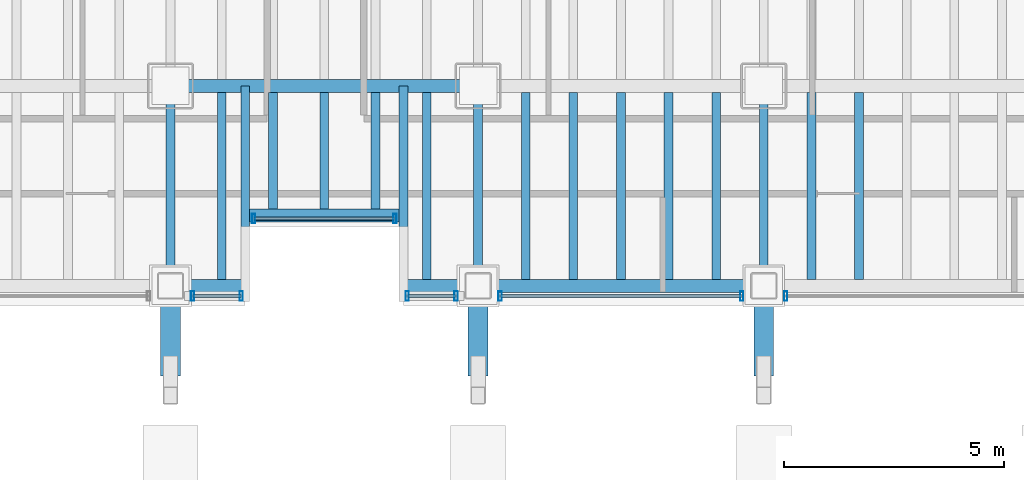
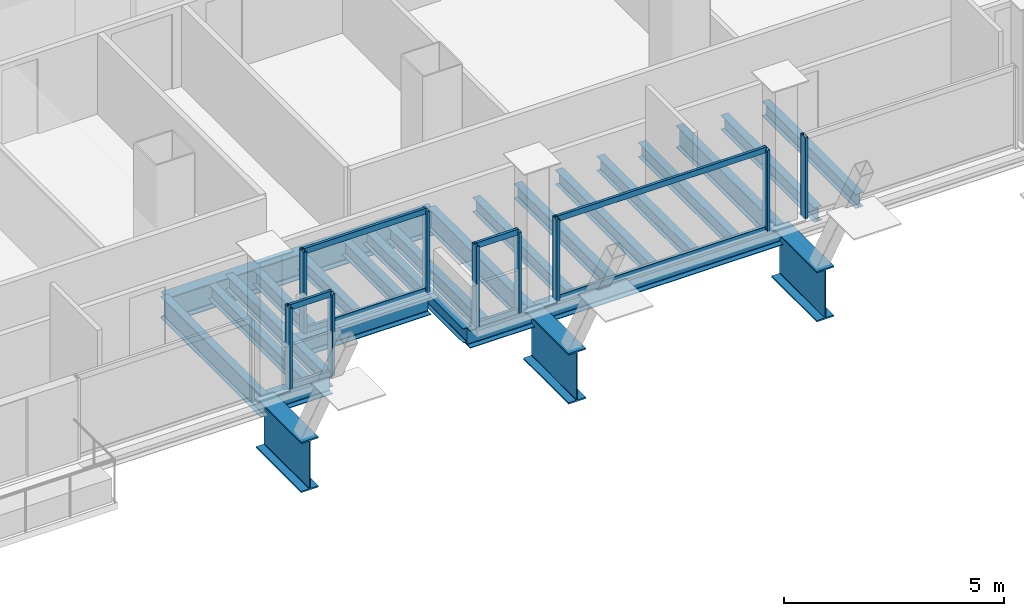
# One storey, part 4 of 21: 25 beams, 17 members, 5 elements without a shape of their own.
"""IFC4 building model written with IfcOpenShell, lengths in metres."""

from ifc_helpers import new_model, si_unit, direction, frame, origin, origin_2d, place, context, subcontext, project, spatial, hollow_rectangle, i_section, extrude, material, material_profile, profile_set, type_object, element, aggregate, save


model = new_model("IFC4")

# Units and contexts
model_context = context("Model", 3, precision=1e-05, world=origin(), true_north=direction((0.0, 1.0)))
body_context = subcontext(model_context, "Body", "Model", "MODEL_VIEW")
ifc_project = project(units=[si_unit("LENGTHUNIT", "METRE"), si_unit("AREAUNIT", "SQUARE_METRE"), si_unit("VOLUMEUNIT", "CUBIC_METRE"), si_unit("PLANEANGLEUNIT", "RADIAN"), si_unit("MASSUNIT", "GRAM", prefix="KILO")], contexts=[model_context])

# Site, building, storey
site_placement = place(None, origin())
site = spatial("IfcSite", under=ifc_project, at=site_placement, CompositionType="ELEMENT")
building_placement = place(site_placement, origin())
building = spatial("IfcBuilding", under=site, at=building_placement, Name="Noeulbin Bourse Tower", CompositionType="ELEMENT")
storey_placement = place(building_placement, frame((0.0, 0.0, 77.199951171875)))
storey = spatial("IfcBuildingStorey", under=building, at=storey_placement, Name="L19", CompositionType="ELEMENT", Elevation=77.199951171875)

# Beams
ifc_material_1 = material(Name="Steel S355", Category="steel")
ifc_material_profile_1 = material_profile(ifc_material_1, i_section(OverallWidth=0.199951171875, OverallDepth=0.60009765625, WebThickness=0.010986328125, FlangeThickness=0.01708984375, FilletRadius=0.02197265625, at=origin_2d()), Name="H-600x200x11x17", Category="LoadBearing")
ifc_profile_set_1 = profile_set([ifc_material_profile_1], Name="Steel S355")
beam_type_1 = type_object("IfcBeamType", Name="BM-GRD-600", PredefinedType="USERDEFINED", material=ifc_profile_set_1)
for number, where, z_axis, x_axis, name in (
    (1, (24.0, 15.449951171875, -0.47998046875), (0.0, 1.0, 0.0), (-1.0, 0.0, 0.0), "Tower Primary Girder NS L19-2.1"),
    (2, (31.0, 15.449951171875, -0.47998046875), (0.0, 1.0, 0.0), (-1.0, 0.0, 0.0), "Tower Primary Girder NS L19-3.1"),
    (3, (37.5, 15.449951171875, -0.47998046875), (0.0, 1.0, 0.0), (-1.0, 0.0, 0.0), "Tower Primary Girder NS L19-4.1"),
):
    element("IfcBeam", number, at=place(storey_placement, frame(where, z_axis=z_axis, x_axis=x_axis)), inside=storey, type_object=beam_type_1, Name=name, ObjectType="GIRDER", PredefinedType="USERDEFINED", context=body_context, shape_type="SweptSolid", body=[
        extrude(i_section(OverallWidth=0.199951171875, OverallDepth=0.60009765625, WebThickness=0.010986328125, FlangeThickness=0.01708984375, FilletRadius=0.02197265625, at=origin_2d()), origin(), (0.0, 0.0, 1.0), 4.550048828125),
    ])
ifc_material_profile_2 = material_profile(ifc_material_1, i_section(OverallWidth=0.300048828125, OverallDepth=0.699951171875, WebThickness=0.012939453125, FlangeThickness=0.02392578125, FilletRadius=0.02392578125, at=origin_2d()), Name="H-700x300x13x24", Category="LoadBearing")
ifc_profile_set_2 = profile_set([ifc_material_profile_2], Name="Steel S355")
beam_type_2 = type_object("IfcBeamType", Name="BM-GRD-700", PredefinedType="USERDEFINED", material=ifc_profile_set_2)
beam_1_placement = place(storey_placement, frame((24.0, 20.0, -0.530029296875), z_axis=(1.0, 0.0, 0.0), x_axis=(0.0, 1.0, 0.0)))
element("IfcBeam", 4, at=beam_1_placement, inside=storey, type_object=beam_type_2, Name="Tower Primary Girder EW L19-1.3", ObjectType="GIRDER", PredefinedType="USERDEFINED", context=body_context, shape_type="SweptSolid", body=[
    extrude(i_section(OverallWidth=0.300048828125, OverallDepth=0.699951171875, WebThickness=0.012939453125, FlangeThickness=0.02392578125, FilletRadius=0.02392578125, at=origin_2d()), origin(), (0.0, 0.0, 1.0), 7.0),
])
ifc_material_profile_3 = material_profile(ifc_material_1, i_section(OverallWidth=0.199951171875, OverallDepth=0.39990234375, WebThickness=0.008056640625, FlangeThickness=0.012939453125, FilletRadius=0.01611328125, at=origin_2d()), Name="H-400x200x8x13", Category="LoadBearing")
ifc_profile_set_3 = profile_set([ifc_material_profile_3], Name="Steel S355")
beam_type_3 = type_object("IfcBeamType", Name="BM-SEC-400", PredefinedType="BEAM", material=ifc_profile_set_3)
for number, where, z_axis, x_axis, name in (
    (5, (25.699951171875, 15.449951171875, -0.3798828125), (0.0, 1.0, 0.0), (-1.0, 0.0, 0.0), "BM-L19-SRT-W"),
    (6, (29.300048828125, 15.449951171875, -0.3798828125), (0.0, 1.0, 0.0), (-1.0, 0.0, 0.0), "BM-L19-SRT-E"),
):
    element("IfcBeam", number, at=place(storey_placement, frame(where, z_axis=z_axis, x_axis=x_axis)), inside=storey, type_object=beam_type_3, Name=name, PredefinedType="BEAM", context=body_context, shape_type="SweptSolid", body=[
        extrude(i_section(OverallWidth=0.199951171875, OverallDepth=0.39990234375, WebThickness=0.008056640625, FlangeThickness=0.012939453125, FilletRadius=0.01611328125, at=origin_2d()), origin(), (0.0, 0.0, 1.0), 4.550048828125),
    ])
beam_2_placement = place(storey_placement, frame((25.166748046875, 15.60009765625, -0.3798828125), z_axis=(0.0, 1.0, 0.0), x_axis=(-1.0, 0.0, 0.0)))
element("IfcBeam", 7, at=beam_2_placement, inside=storey, type_object=beam_type_3, Name="Tower Composite Joist L19-25", PredefinedType="BEAM", context=body_context, shape_type="SweptSolid", body=[
    extrude(i_section(OverallWidth=0.199951171875, OverallDepth=0.39990234375, WebThickness=0.008056640625, FlangeThickness=0.012939453125, FilletRadius=0.01611328125, at=origin_2d()), origin(), (0.0, 0.0, 1.0), 4.25),
])
for number, where, z_axis, x_axis, name in (
    (8, (26.333251953125, 17.199951171875, -0.3798828125), (0.0, 1.0, 0.0), (-1.0, 0.0, 0.0), "Tower Composite Joist L19-28"),
    (9, (27.5, 17.199951171875, -0.3798828125), (0.0, 1.0, 0.0), (-1.0, 0.0, 0.0), "Tower Composite Joist L19-31"),
    (10, (28.666748046875, 17.199951171875, -0.3798828125), (0.0, 1.0, 0.0), (-1.0, 0.0, 0.0), "Tower Composite Joist L19-34"),
):
    element("IfcBeam", number, at=place(storey_placement, frame(where, z_axis=z_axis, x_axis=x_axis)), inside=storey, type_object=beam_type_3, Name=name, PredefinedType="BEAM", context=body_context, shape_type="SweptSolid", body=[
        extrude(i_section(OverallWidth=0.199951171875, OverallDepth=0.39990234375, WebThickness=0.008056640625, FlangeThickness=0.012939453125, FilletRadius=0.01611328125, at=origin_2d()), origin(), (0.0, 0.0, 1.0), 2.650146484375),
    ])
for number, where, z_axis, x_axis, name in (
    (11, (29.833251953125, 15.60009765625, -0.3798828125), (0.0, 1.0, 0.0), (-1.0, 0.0, 0.0), "Tower Composite Joist L19-37"),
    (12, (32.083251953125, 15.60009765625, -0.3798828125), (0.0, 1.0, 0.0), (-1.0, 0.0, 0.0), "Tower Composite Joist L19-40"),
    (13, (33.166748046875, 15.60009765625, -0.3798828125), (0.0, 1.0, 0.0), (-1.0, 0.0, 0.0), "Tower Composite Joist L19-43"),
    (14, (34.25, 15.60009765625, -0.3798828125), (0.0, 1.0, 0.0), (-1.0, 0.0, 0.0), "Tower Composite Joist L19-46"),
    (15, (35.333251953125, 15.60009765625, -0.3798828125), (0.0, 1.0, 0.0), (-1.0, 0.0, 0.0), "Tower Composite Joist L19-49"),
    (16, (36.416748046875, 15.60009765625, -0.3798828125), (0.0, 1.0, 0.0), (-1.0, 0.0, 0.0), "Tower Composite Joist L19-52"),
    (17, (38.583251953125, 15.60009765625, -0.3798828125), (0.0, 1.0, 0.0), (-1.0, 0.0, 0.0), "Tower Composite Joist L19-55"),
    (18, (39.666748046875, 15.60009765625, -0.3798828125), (0.0, 1.0, 0.0), (-1.0, 0.0, 0.0), "Tower Composite Joist L19-58"),
):
    element("IfcBeam", number, at=place(storey_placement, frame(where, z_axis=z_axis, x_axis=x_axis)), inside=storey, type_object=beam_type_3, Name=name, PredefinedType="BEAM", context=body_context, shape_type="SweptSolid", body=[
        extrude(i_section(OverallWidth=0.199951171875, OverallDepth=0.39990234375, WebThickness=0.008056640625, FlangeThickness=0.012939453125, FilletRadius=0.01611328125, at=origin_2d()), origin(), (0.0, 0.0, 1.0), 4.25),
    ])
ifc_material_profile_4 = material_profile(ifc_material_1, i_section(OverallWidth=0.300048828125, OverallDepth=0.488037109375, WebThickness=0.010986328125, FlangeThickness=0.01806640625, FilletRadius=0.02197265625, at=origin_2d()), Name="H-488x300x11x18", Category="LoadBearing")
ifc_profile_set_4 = profile_set([ifc_material_profile_4], Name="Steel S355")
beam_type_4 = type_object("IfcBeamType", Name="BM-SPN-488", PredefinedType="SPANDREL", material=ifc_profile_set_4)
beam_3_placement = place(storey_placement, frame((25.800048828125, 17.050048828125, -0.424072265625), z_axis=(1.0, 0.0, 0.0), x_axis=(0.0, 1.0, 0.0)))
element("IfcBeam", 19, at=beam_3_placement, inside=storey, type_object=beam_type_4, Name="South Recess Spandrel L19-2B", PredefinedType="SPANDREL", context=body_context, shape_type="SweptSolid", body=[
    extrude(i_section(OverallWidth=0.300048828125, OverallDepth=0.488037109375, WebThickness=0.010986328125, FlangeThickness=0.01806640625, FilletRadius=0.02197265625, at=origin_2d()), origin(), (0.0, 0.0, 1.0), 3.39990234375),
])
for number, where, z_axis, x_axis, name in (
    (20, (24.0, 15.449951171875, -0.424072265625), (1.0, 0.0, 0.0), (0.0, 1.0, 0.0), "South Spandrel L19-2A"),
    (21, (29.300048828125, 15.449951171875, -0.424072265625), (1.0, 0.0, 0.0), (0.0, 1.0, 0.0), "South Spandrel L19-2C"),
):
    element("IfcBeam", number, at=place(storey_placement, frame(where, z_axis=z_axis, x_axis=x_axis)), inside=storey, type_object=beam_type_4, Name=name, PredefinedType="SPANDREL", context=body_context, shape_type="SweptSolid", body=[
        extrude(i_section(OverallWidth=0.300048828125, OverallDepth=0.488037109375, WebThickness=0.010986328125, FlangeThickness=0.01806640625, FilletRadius=0.02197265625, at=origin_2d()), origin(), (0.0, 0.0, 1.0), 1.699951171875),
    ])
beam_4_placement = place(storey_placement, frame((31.0, 15.449951171875, -0.424072265625), z_axis=(1.0, 0.0, 0.0), x_axis=(0.0, 1.0, 0.0)))
element("IfcBeam", 22, at=beam_4_placement, inside=storey, type_object=beam_type_4, Name="South Spandrel L19-3", PredefinedType="SPANDREL", context=body_context, shape_type="SweptSolid", body=[
    extrude(i_section(OverallWidth=0.300048828125, OverallDepth=0.488037109375, WebThickness=0.010986328125, FlangeThickness=0.01806640625, FilletRadius=0.02197265625, at=origin_2d()), origin(), (0.0, 0.0, 1.0), 6.5),
])
ifc_material_2 = material(Name="Steel S460", Category="steel")
ifc_material_profile_5 = material_profile(ifc_material_2, i_section(OverallWidth=0.449951171875, OverallDepth=1.39990234375, WebThickness=0.02392578125, FlangeThickness=0.0400390625, FilletRadius=0.02392578125, at=origin_2d()), Name="PG-1400x450x24x40", Category="LoadBearing")
ifc_profile_set_5 = profile_set([ifc_material_profile_5], Name="Steel S460")
beam_type_5 = type_object("IfcBeamType", Name="BM-TRF-1400", PredefinedType="USERDEFINED", material=ifc_profile_set_5)
for number, where, z_axis, x_axis, name in (
    (23, (24.0, 13.39990234375, -0.8798828125), (0.0, 1.0, 0.0), (-1.0, 0.0, 0.0), "Transfer Outrigger Corbel L19-02"),
    (24, (31.0, 13.39990234375, -0.8798828125), (0.0, 1.0, 0.0), (-1.0, 0.0, 0.0), "Transfer Outrigger Corbel L19-03"),
    (25, (37.5, 13.39990234375, -0.8798828125), (0.0, 1.0, 0.0), (-1.0, 0.0, 0.0), "Transfer Outrigger Corbel L19-04"),
):
    element("IfcBeam", number, at=place(storey_placement, frame(where, z_axis=z_axis, x_axis=x_axis)), inside=storey, type_object=beam_type_5, Name=name, ObjectType="GIRDER", PredefinedType="USERDEFINED", context=body_context, shape_type="SweptSolid", body=[
        extrude(i_section(OverallWidth=0.449951171875, OverallDepth=1.39990234375, WebThickness=0.02392578125, FlangeThickness=0.0400390625, FilletRadius=0.02392578125, at=origin_2d()), origin(), (0.0, 0.0, 1.0), 2.050048828125),
    ])

# Curtain wall, members
ifc_material_3 = material(Name="Dark Solar-Control Double Glazing", Category="glass")
curtain_wall_type = type_object("IfcCurtainWallType", Name="CW-SYS-2", PredefinedType="NOTDEFINED", material=ifc_material_3)
curtain_wall_1_placement = place(storey_placement, origin())
curtain_wall_1 = element("IfcCurtainWall", 26, at=curtain_wall_1_placement, inside=storey, type_object=curtain_wall_type, Name="Unitised Curtain Wall CW-L19-SREC", PredefinedType="NOTDEFINED")
ifc_material_4 = material(Name="Anodised Aluminium 6063-T6", Category="aluminium")
ifc_material_profile_6 = material_profile(ifc_material_4, hollow_rectangle(XDim=0.074951171875, YDim=0.219970703125, WallThickness=0.0048828125, InnerFilletRadius=0.00244140625, OuterFilletRadius=0.0048828125, at=origin_2d()), Name="ALU-MULL-75x220x5", Category="LoadBearing")
ifc_profile_set_6 = profile_set([ifc_material_profile_6], Name="Anodised Aluminium 6063-T6")
member_type_1 = type_object("IfcMemberType", Name="CW-SYS-2-MUL", PredefinedType="MULLION", material=ifc_profile_set_6)
member_1_placement = place(storey_placement, frame((25.889892578125, 16.97998046875, -0.02001953125), z_axis=(0.0, 0.0, 1.0), x_axis=(1.0, 0.0, 0.0)))
member_1 = element("IfcMember", 27, at=member_1_placement, type_object=member_type_1, Name="Curtain Wall Mullion CW-L19-SREC-M00", PredefinedType="MULLION", context=body_context, shape_type="SweptSolid", body=[
    extrude(hollow_rectangle(XDim=0.074951171875, YDim=0.219970703125, WallThickness=0.0048828125, InnerFilletRadius=0.00244140625, OuterFilletRadius=0.0048828125, at=origin_2d()), origin(), (0.0, 0.0, 1.0), 2.260009765625),
])
member_2_placement = place(storey_placement, frame((29.110107421875, 16.97998046875, -0.02001953125), z_axis=(0.0, 0.0, 1.0), x_axis=(1.0, 0.0, 0.0)))
member_2 = element("IfcMember", 28, at=member_2_placement, type_object=member_type_1, Name="Curtain Wall Mullion CW-L19-SREC-M01", PredefinedType="MULLION", context=body_context, shape_type="SweptSolid", body=[
    extrude(hollow_rectangle(XDim=0.074951171875, YDim=0.219970703125, WallThickness=0.0048828125, InnerFilletRadius=0.00244140625, OuterFilletRadius=0.0048828125, at=origin_2d()), origin(), (0.0, 0.0, 1.0), 2.260009765625),
])

curtain_wall_2_placement = place(storey_placement, origin())
curtain_wall_2 = element("IfcCurtainWall", 29, at=curtain_wall_2_placement, inside=storey, type_object=curtain_wall_type, Name="Unitised Curtain Wall CW-L19-S2-S2", PredefinedType="NOTDEFINED")
member_3_placement = place(storey_placement, frame((24.5, 15.219970703125, -0.02001953125), z_axis=(0.0, 0.0, 1.0), x_axis=(1.0, 0.0, 0.0)))
member_3 = element("IfcMember", 30, at=member_3_placement, type_object=member_type_1, Name="Curtain Wall Mullion CW-L19-S2-S2-M00", PredefinedType="MULLION", context=body_context, shape_type="SweptSolid", body=[
    extrude(hollow_rectangle(XDim=0.074951171875, YDim=0.219970703125, WallThickness=0.0048828125, InnerFilletRadius=0.00244140625, OuterFilletRadius=0.0048828125, at=origin_2d()), origin(), (0.0, 0.0, 1.0), 2.260009765625),
])
member_4_placement = place(storey_placement, frame((25.610107421875, 15.219970703125, -0.02001953125), z_axis=(0.0, 0.0, 1.0), x_axis=(1.0, 0.0, 0.0)))
member_4 = element("IfcMember", 31, at=member_4_placement, type_object=member_type_1, Name="Curtain Wall Mullion CW-L19-S2-S2-M01", PredefinedType="MULLION", context=body_context, shape_type="SweptSolid", body=[
    extrude(hollow_rectangle(XDim=0.074951171875, YDim=0.219970703125, WallThickness=0.0048828125, InnerFilletRadius=0.00244140625, OuterFilletRadius=0.0048828125, at=origin_2d()), origin(), (0.0, 0.0, 1.0), 2.260009765625),
])

curtain_wall_3_placement = place(storey_placement, origin())
curtain_wall_3 = element("IfcCurtainWall", 32, at=curtain_wall_3_placement, inside=storey, type_object=curtain_wall_type, Name="Unitised Curtain Wall CW-L19-S3-S1", PredefinedType="NOTDEFINED")
member_5_placement = place(storey_placement, frame((29.389892578125, 15.219970703125, -0.02001953125), z_axis=(0.0, 0.0, 1.0), x_axis=(1.0, 0.0, 0.0)))
member_5 = element("IfcMember", 33, at=member_5_placement, type_object=member_type_1, Name="Curtain Wall Mullion CW-L19-S3-S1-M00", PredefinedType="MULLION", context=body_context, shape_type="SweptSolid", body=[
    extrude(hollow_rectangle(XDim=0.074951171875, YDim=0.219970703125, WallThickness=0.0048828125, InnerFilletRadius=0.00244140625, OuterFilletRadius=0.0048828125, at=origin_2d()), origin(), (0.0, 0.0, 1.0), 2.260009765625),
])
member_6_placement = place(storey_placement, frame((30.5, 15.219970703125, -0.02001953125), z_axis=(0.0, 0.0, 1.0), x_axis=(1.0, 0.0, 0.0)))
member_6 = element("IfcMember", 34, at=member_6_placement, type_object=member_type_1, Name="Curtain Wall Mullion CW-L19-S3-S1-M01", PredefinedType="MULLION", context=body_context, shape_type="SweptSolid", body=[
    extrude(hollow_rectangle(XDim=0.074951171875, YDim=0.219970703125, WallThickness=0.0048828125, InnerFilletRadius=0.00244140625, OuterFilletRadius=0.0048828125, at=origin_2d()), origin(), (0.0, 0.0, 1.0), 2.260009765625),
])

curtain_wall_4_placement = place(storey_placement, origin())
curtain_wall_4 = element("IfcCurtainWall", 35, at=curtain_wall_4_placement, inside=storey, type_object=curtain_wall_type, Name="Unitised Curtain Wall CW-L19-S3-S2", PredefinedType="NOTDEFINED")
member_7_placement = place(storey_placement, frame((31.5, 15.219970703125, -0.02001953125), z_axis=(0.0, 0.0, 1.0), x_axis=(1.0, 0.0, 0.0)))
member_7 = element("IfcMember", 36, at=member_7_placement, type_object=member_type_1, Name="Curtain Wall Mullion CW-L19-S3-S2-M00", PredefinedType="MULLION", context=body_context, shape_type="SweptSolid", body=[
    extrude(hollow_rectangle(XDim=0.074951171875, YDim=0.219970703125, WallThickness=0.0048828125, InnerFilletRadius=0.00244140625, OuterFilletRadius=0.0048828125, at=origin_2d()), origin(), (0.0, 0.0, 1.0), 2.260009765625),
])
member_8_placement = place(storey_placement, frame((37.0, 15.219970703125, -0.02001953125), z_axis=(0.0, 0.0, 1.0), x_axis=(1.0, 0.0, 0.0)))
member_8 = element("IfcMember", 37, at=member_8_placement, type_object=member_type_1, Name="Curtain Wall Mullion CW-L19-S3-S2-M01", PredefinedType="MULLION", context=body_context, shape_type="SweptSolid", body=[
    extrude(hollow_rectangle(XDim=0.074951171875, YDim=0.219970703125, WallThickness=0.0048828125, InnerFilletRadius=0.00244140625, OuterFilletRadius=0.0048828125, at=origin_2d()), origin(), (0.0, 0.0, 1.0), 2.260009765625),
])

# Curtain wall, member
curtain_wall_5_placement = place(storey_placement, origin())
curtain_wall_5 = element("IfcCurtainWall", 38, at=curtain_wall_5_placement, inside=storey, type_object=curtain_wall_type, Name="Unitised Curtain Wall CW-L19-S3-S3", PredefinedType="NOTDEFINED")
member_9_placement = place(storey_placement, frame((38.0, 15.219970703125, -0.02001953125), z_axis=(0.0, 0.0, 1.0), x_axis=(1.0, 0.0, 0.0)))
member_9 = element("IfcMember", 39, at=member_9_placement, type_object=member_type_1, Name="Curtain Wall Mullion CW-L19-S3-S3-M00", PredefinedType="MULLION", context=body_context, shape_type="SweptSolid", body=[
    extrude(hollow_rectangle(XDim=0.074951171875, YDim=0.219970703125, WallThickness=0.0048828125, InnerFilletRadius=0.00244140625, OuterFilletRadius=0.0048828125, at=origin_2d()), origin(), (0.0, 0.0, 1.0), 2.260009765625),
])
aggregate(curtain_wall_5, [member_9])

# Member
ifc_material_profile_7 = material_profile(ifc_material_4, hollow_rectangle(XDim=0.074951171875, YDim=0.159912109375, WallThickness=0.0048828125, InnerFilletRadius=0.00244140625, OuterFilletRadius=0.0048828125, at=origin_2d()), Name="ALU-TRAN-75x160x5", Category="LoadBearing")
ifc_profile_set_7 = profile_set([ifc_material_profile_7], Name="Anodised Aluminium 6063-T6")
member_type_2 = type_object("IfcMemberType", Name="CW-SYS-2-TRN", PredefinedType="USERDEFINED", material=ifc_profile_set_7)
member_10_placement = place(storey_placement, frame((25.89990234375, 16.97998046875, 0.010009765625), z_axis=(1.0, 0.0, 0.0), x_axis=(0.0, 1.0, 0.0)))
member_10 = element("IfcMember", 40, at=member_10_placement, type_object=member_type_2, Name="Curtain Wall Transom CW-L19-SREC-T00", ObjectType="TRANSOM", PredefinedType="USERDEFINED", context=body_context, shape_type="SweptSolid", body=[
    extrude(hollow_rectangle(XDim=0.074951171875, YDim=0.159912109375, WallThickness=0.0048828125, InnerFilletRadius=0.00244140625, OuterFilletRadius=0.0048828125, at=origin_2d()), origin(), (0.0, 0.0, 1.0), 3.2001953125),
])

member_11_placement = place(storey_placement, frame((25.89990234375, 16.97998046875, 2.2099609375), z_axis=(1.0, 0.0, 0.0), x_axis=(0.0, 1.0, 0.0)))
member_11 = element("IfcMember", 41, at=member_11_placement, type_object=member_type_2, Name="Curtain Wall Transom CW-L19-SREC-T01", ObjectType="TRANSOM", PredefinedType="USERDEFINED", context=body_context, shape_type="SweptSolid", body=[
    extrude(hollow_rectangle(XDim=0.074951171875, YDim=0.159912109375, WallThickness=0.0048828125, InnerFilletRadius=0.00244140625, OuterFilletRadius=0.0048828125, at=origin_2d()), origin(), (0.0, 0.0, 1.0), 3.2001953125),
])

aggregate(curtain_wall_1, [member_1, member_2, member_10, member_11])

member_12_placement = place(storey_placement, frame((24.510009765625, 15.219970703125, 0.010009765625), z_axis=(1.0, 0.0, 0.0), x_axis=(0.0, 1.0, 0.0)))
member_12 = element("IfcMember", 42, at=member_12_placement, type_object=member_type_2, Name="Curtain Wall Transom CW-L19-S2-S2-T00", ObjectType="TRANSOM", PredefinedType="USERDEFINED", context=body_context, shape_type="SweptSolid", body=[
    extrude(hollow_rectangle(XDim=0.074951171875, YDim=0.159912109375, WallThickness=0.0048828125, InnerFilletRadius=0.00244140625, OuterFilletRadius=0.0048828125, at=origin_2d()), origin(), (0.0, 0.0, 1.0), 1.090087890625),
])

member_13_placement = place(storey_placement, frame((24.510009765625, 15.219970703125, 2.2099609375), z_axis=(1.0, 0.0, 0.0), x_axis=(0.0, 1.0, 0.0)))
member_13 = element("IfcMember", 43, at=member_13_placement, type_object=member_type_2, Name="Curtain Wall Transom CW-L19-S2-S2-T01", ObjectType="TRANSOM", PredefinedType="USERDEFINED", context=body_context, shape_type="SweptSolid", body=[
    extrude(hollow_rectangle(XDim=0.074951171875, YDim=0.159912109375, WallThickness=0.0048828125, InnerFilletRadius=0.00244140625, OuterFilletRadius=0.0048828125, at=origin_2d()), origin(), (0.0, 0.0, 1.0), 1.090087890625),
])

aggregate(curtain_wall_2, [member_3, member_4, member_12, member_13])

member_14_placement = place(storey_placement, frame((29.39990234375, 15.219970703125, 0.010009765625), z_axis=(1.0, 0.0, 0.0), x_axis=(0.0, 1.0, 0.0)))
member_14 = element("IfcMember", 44, at=member_14_placement, type_object=member_type_2, Name="Curtain Wall Transom CW-L19-S3-S1-T00", ObjectType="TRANSOM", PredefinedType="USERDEFINED", context=body_context, shape_type="SweptSolid", body=[
    extrude(hollow_rectangle(XDim=0.074951171875, YDim=0.159912109375, WallThickness=0.0048828125, InnerFilletRadius=0.00244140625, OuterFilletRadius=0.0048828125, at=origin_2d()), origin(), (0.0, 0.0, 1.0), 1.090087890625),
])

member_15_placement = place(storey_placement, frame((29.39990234375, 15.219970703125, 2.2099609375), z_axis=(1.0, 0.0, 0.0), x_axis=(0.0, 1.0, 0.0)))
member_15 = element("IfcMember", 45, at=member_15_placement, type_object=member_type_2, Name="Curtain Wall Transom CW-L19-S3-S1-T01", ObjectType="TRANSOM", PredefinedType="USERDEFINED", context=body_context, shape_type="SweptSolid", body=[
    extrude(hollow_rectangle(XDim=0.074951171875, YDim=0.159912109375, WallThickness=0.0048828125, InnerFilletRadius=0.00244140625, OuterFilletRadius=0.0048828125, at=origin_2d()), origin(), (0.0, 0.0, 1.0), 1.090087890625),
])

aggregate(curtain_wall_3, [member_5, member_6, member_14, member_15])

member_16_placement = place(storey_placement, frame((31.510009765625, 15.219970703125, 0.010009765625), z_axis=(1.0, 0.0, 0.0), x_axis=(0.0, 1.0, 0.0)))
member_16 = element("IfcMember", 46, at=member_16_placement, type_object=member_type_2, Name="Curtain Wall Transom CW-L19-S3-S2-T00", ObjectType="TRANSOM", PredefinedType="USERDEFINED", context=body_context, shape_type="SweptSolid", body=[
    extrude(hollow_rectangle(XDim=0.074951171875, YDim=0.159912109375, WallThickness=0.0048828125, InnerFilletRadius=0.00244140625, OuterFilletRadius=0.0048828125, at=origin_2d()), origin(), (0.0, 0.0, 1.0), 5.47998046875),
])

member_17_placement = place(storey_placement, frame((31.510009765625, 15.219970703125, 2.2099609375), z_axis=(1.0, 0.0, 0.0), x_axis=(0.0, 1.0, 0.0)))
member_17 = element("IfcMember", 47, at=member_17_placement, type_object=member_type_2, Name="Curtain Wall Transom CW-L19-S3-S2-T01", ObjectType="TRANSOM", PredefinedType="USERDEFINED", context=body_context, shape_type="SweptSolid", body=[
    extrude(hollow_rectangle(XDim=0.074951171875, YDim=0.159912109375, WallThickness=0.0048828125, InnerFilletRadius=0.00244140625, OuterFilletRadius=0.0048828125, at=origin_2d()), origin(), (0.0, 0.0, 1.0), 5.47998046875),
])

aggregate(curtain_wall_4, [member_7, member_8, member_16, member_17])

save(model, "model.ifc")
